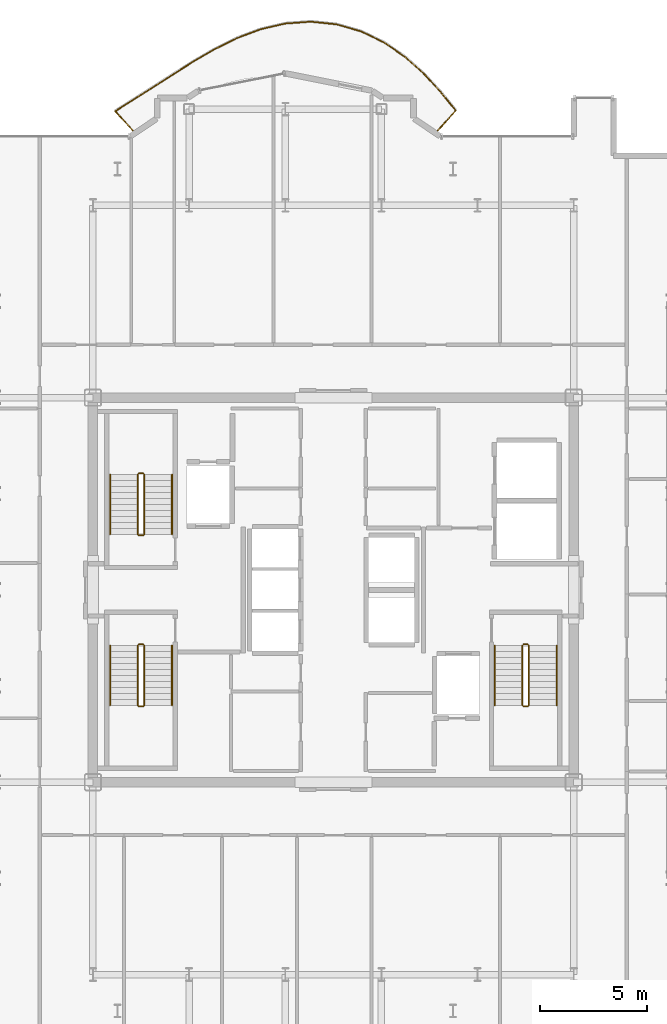
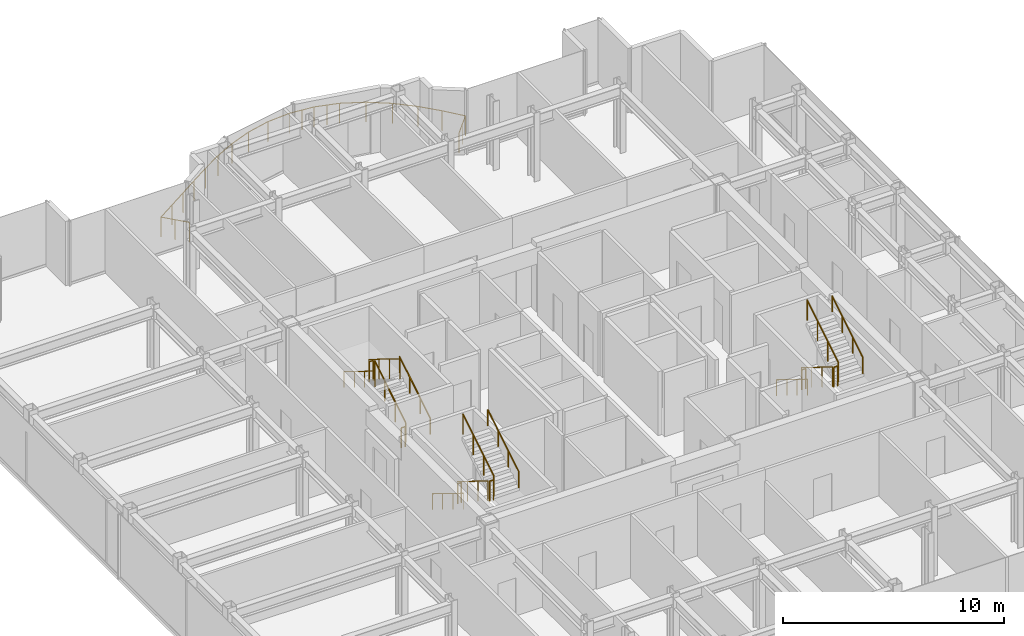
# One storey, part 18 of 18: 19 railings.
"""IFC4 building model written with IfcOpenShell, lengths in metres."""

from ifc_helpers import new_model, si_unit, direction, frame, origin, origin_2d, place, context, subcontext, project, spatial, circle, extrude, material, type_object, element, save


model = new_model("IFC4")

# Units and contexts
model_context = context("Model", 3, precision=1e-05, world=origin(), true_north=direction((0.0, 1.0)))
body_context = subcontext(model_context, "Body", "Model", "MODEL_VIEW")
ifc_project = project(units=[si_unit("LENGTHUNIT", "METRE"), si_unit("AREAUNIT", "SQUARE_METRE"), si_unit("VOLUMEUNIT", "CUBIC_METRE"), si_unit("PLANEANGLEUNIT", "RADIAN"), si_unit("MASSUNIT", "GRAM", prefix="KILO")], contexts=[model_context])

# Site, building, storey
site_placement = place(None, origin())
site = spatial("IfcSite", under=ifc_project, at=site_placement, CompositionType="ELEMENT")
building_placement = place(site_placement, origin())
building = spatial("IfcBuilding", under=site, at=building_placement, Name="Nefas-Gora Pilgrimage Tower", CompositionType="ELEMENT")
storey_placement = place(building_placement, frame((0.0, 0.0, 295.0)))
storey = spatial("IfcBuildingStorey", under=building, at=storey_placement, Name="L74", CompositionType="ELEMENT", Elevation=295.0)

# Railings
ifc_material_1 = material(Name="Laminated safety glass and stainless steel", Category="steel")
railing_type_1 = type_object("IfcRailingType", Name="RLG-BAL-1100", PredefinedType="BALUSTRADE", material=ifc_material_1)
railing_1_placement = place(storey_placement, frame((4.802490234375, 21.402587890625, 0.0)))
element("IfcRailing", 1, at=railing_1_placement, inside=storey, type_object=railing_type_1, Name="L74 Wave Balcony Balustrade N1", PredefinedType="BALUSTRADE", context=body_context, shape_type="SweptSolid", body=[
    extrude(circle(Radius=0.02392578125, at=origin_2d()), frame((0.0, 0.0, 1.09619140625), z_axis=(0.669217868333, 0.743066245165, 0.0), x_axis=(-0.743066245165, 0.669217868333, 0.0)), (0.0, 0.0, 1.0), 1.38525390625),
    extrude(circle(Radius=0.02392578125, at=origin_2d()), frame((0.927001953125, 1.029296875, 1.09619140625), z_axis=(-0.631629482569, 0.775270402343, 0.0), x_axis=(-0.775270402343, -0.631629482569, 0.0)), (0.0, 0.0, 1.0), 1.125244140625),
    extrude(circle(Radius=0.02392578125, at=origin_2d()), frame((0.21630859375, 1.901611328125, 1.09619140625), z_axis=(-0.677893838632, 0.735159808167, 0.0), x_axis=(-0.735159808167, -0.677893838632, 0.0)), (0.0, 0.0, 1.0), 1.1552734375),
    extrude(circle(Radius=0.02392578125, at=origin_2d()), frame((-0.56689453125, 2.7509765625, 1.09619140625), z_axis=(-0.744856770075, 0.667224394094, 0.0), x_axis=(-0.667224394094, -0.744856770075, 0.0)), (0.0, 0.0, 1.0), 1.17919921875),
    extrude(circle(Radius=0.02392578125, at=origin_2d()), frame((-1.4453125, 3.537841796875, 1.09619140625), z_axis=(-0.823486360046, 0.567336068673, 0.0), x_axis=(-0.567336068673, -0.823486360046, 0.0)), (0.0, 0.0, 1.0), 1.193359375),
    extrude(circle(Radius=0.02392578125, at=origin_2d()), frame((-2.427978515625, 4.21484375, 1.09619140625), z_axis=(-0.900372884274, 0.435119143757, 0.0), x_axis=(-0.435119143757, -0.900372884274, 0.0)), (0.0, 0.0, 1.0), 1.198974609375),
    extrude(circle(Radius=0.02392578125, at=origin_2d()), frame((-3.507568359375, 4.736572265625, 1.09619140625), z_axis=(-0.96128569357, 0.275553652377, 0.0), x_axis=(-0.275553652377, -0.96128569357, 0.0)), (0.0, 0.0, 1.0), 1.200439453125),
    extrude(circle(Radius=0.02392578125, at=origin_2d()), frame((-4.66162109375, 5.0673828125, 1.09619140625), z_axis=(-0.994878893823, 0.101074163988, 0.0), x_axis=(-0.101074163988, -0.994878893823, 0.0)), (0.0, 0.0, 1.0), 1.200439453125),
    extrude(circle(Radius=0.02392578125, at=origin_2d()), frame((-5.85595703125, 5.188720703125, 1.09619140625), z_axis=(-0.997416168119, -0.071840013741, 0.0), x_axis=(0.071840013741, -0.997416168119, 0.0)), (0.0, 0.0, 1.0), 1.19970703125),
    extrude(circle(Radius=0.02392578125, at=origin_2d()), frame((-7.052490234375, 5.1025390625, 1.09619140625), z_axis=(-0.973990202432, -0.226590126809, 0.0), x_axis=(0.226590126809, -0.973990202432, 0.0)), (0.0, 0.0, 1.0), 1.19482421875),
    extrude(circle(Radius=0.02392578125, at=origin_2d()), frame((-8.21630859375, 4.831787109375, 1.09619140625), z_axis=(-0.935793373768, -0.352548949243, 0.0), x_axis=(0.352548949243, -0.935793373768, 0.0)), (0.0, 0.0, 1.0), 1.18212890625),
    extrude(circle(Radius=0.02392578125, at=origin_2d()), frame((-9.322509765625, 4.4150390625, 1.09619140625), z_axis=(-0.895603061992, -0.444854083213, 0.0), x_axis=(0.444854083213, -0.895603061992, 0.0)), (0.0, 0.0, 1.0), 1.15966796875),
    extrude(circle(Radius=0.02392578125, at=origin_2d()), frame((-10.361083984375, 3.899169921875, 1.09619140625), z_axis=(-0.863943403334, -0.503588915522, 0.0), x_axis=(0.503588915522, -0.863943403334, 0.0)), (0.0, 0.0, 1.0), 1.130126953125),
    extrude(circle(Radius=0.02392578125, at=origin_2d()), frame((-11.33740234375, 3.330078125, 1.09619140625), z_axis=(-0.846310667587, -0.532689641282, 0.0), x_axis=(0.532689641282, -0.846310667587, 0.0)), (0.0, 0.0, 1.0), 1.099853515625),
    extrude(circle(Radius=0.02392578125, at=origin_2d()), frame((-12.268310546875, 2.744140625, 1.09619140625), z_axis=(-0.841971362418, -0.539522219067, 0.0), x_axis=(0.539522219067, -0.841971362418, 0.0)), (0.0, 0.0, 1.0), 1.079345703125),
    extrude(circle(Radius=0.02392578125, at=origin_2d()), frame((-13.177001953125, 2.161865234375, 1.09619140625), z_axis=(-0.844473528243, -0.535597292839, 0.0), x_axis=(0.535597292839, -0.844473528243, 0.0)), (0.0, 0.0, 1.0), 1.07568359375),
    extrude(circle(Radius=0.02392578125, at=origin_2d()), frame((-14.08544921875, 1.585693359375, 1.09619140625), z_axis=(-0.843707572313, -0.536803066704, 0.0), x_axis=(0.536803066704, -0.843707572313, 0.0)), (0.0, 0.0, 1.0), 1.090576171875),
    extrude(circle(Radius=0.02392578125, at=origin_2d()), frame((-15.005615234375, 1.000244140625, 1.09619140625), z_axis=(0.669135077133, -0.74314079995, 0.0), x_axis=(0.74314079995, 0.669135077133, 0.0)), (0.0, 0.0, 1.0), 1.345947265625),
    extrude(circle(Radius=0.02099609375, at=origin_2d()), origin(), (0.0, 0.0, 1.0), 1.072021484375),
    extrude(circle(Radius=0.02099609375, at=origin_2d()), frame((0.46337890625, 0.5146484375, 0.0)), (0.0, 0.0, 1.0), 1.072021484375),
    extrude(circle(Radius=0.02099609375, at=origin_2d()), frame((0.927001953125, 1.029296875, 0.0)), (0.0, 0.0, 1.0), 1.072021484375),
    extrude(circle(Radius=0.02099609375, at=origin_2d()), frame((0.21630859375, 1.901611328125, 0.0)), (0.0, 0.0, 1.0), 1.072021484375),
    extrude(circle(Radius=0.02099609375, at=origin_2d()), frame((-0.56689453125, 2.7509765625, 0.0)), (0.0, 0.0, 1.0), 1.072021484375),
    extrude(circle(Radius=0.02099609375, at=origin_2d()), frame((-1.4453125, 3.537841796875, 0.0)), (0.0, 0.0, 1.0), 1.072021484375),
    extrude(circle(Radius=0.02099609375, at=origin_2d()), frame((-2.427978515625, 4.21484375, 0.0)), (0.0, 0.0, 1.0), 1.072021484375),
    extrude(circle(Radius=0.02099609375, at=origin_2d()), frame((-3.507568359375, 4.736572265625, 0.0)), (0.0, 0.0, 1.0), 1.072021484375),
    extrude(circle(Radius=0.02099609375, at=origin_2d()), frame((-4.08447265625, 4.90185546875, 0.0)), (0.0, 0.0, 1.0), 1.072021484375),
    extrude(circle(Radius=0.02099609375, at=origin_2d()), frame((-4.66162109375, 5.0673828125, 0.0)), (0.0, 0.0, 1.0), 1.072021484375),
    extrude(circle(Radius=0.02099609375, at=origin_2d()), frame((-5.2587890625, 5.1279296875, 0.0)), (0.0, 0.0, 1.0), 1.072021484375),
    extrude(circle(Radius=0.02099609375, at=origin_2d()), frame((-5.85595703125, 5.188720703125, 0.0)), (0.0, 0.0, 1.0), 1.072021484375),
    extrude(circle(Radius=0.02099609375, at=origin_2d()), frame((-7.052490234375, 5.1025390625, 0.0)), (0.0, 0.0, 1.0), 1.072021484375),
    extrude(circle(Radius=0.02099609375, at=origin_2d()), frame((-8.21630859375, 4.831787109375, 0.0)), (0.0, 0.0, 1.0), 1.072021484375),
    extrude(circle(Radius=0.02099609375, at=origin_2d()), frame((-9.322509765625, 4.4150390625, 0.0)), (0.0, 0.0, 1.0), 1.072021484375),
    extrude(circle(Radius=0.02099609375, at=origin_2d()), frame((-10.361083984375, 3.899169921875, 0.0)), (0.0, 0.0, 1.0), 1.072021484375),
    extrude(circle(Radius=0.02099609375, at=origin_2d()), frame((-11.33740234375, 3.330078125, 0.0)), (0.0, 0.0, 1.0), 1.072021484375),
    extrude(circle(Radius=0.02099609375, at=origin_2d()), frame((-12.268310546875, 2.744140625, 0.0)), (0.0, 0.0, 1.0), 1.072021484375),
    extrude(circle(Radius=0.02099609375, at=origin_2d()), frame((-13.177001953125, 2.161865234375, 0.0)), (0.0, 0.0, 1.0), 1.072021484375),
    extrude(circle(Radius=0.02099609375, at=origin_2d()), frame((-14.08544921875, 1.585693359375, 0.0)), (0.0, 0.0, 1.0), 1.072021484375),
    extrude(circle(Radius=0.02099609375, at=origin_2d()), frame((-15.005615234375, 1.000244140625, 0.0)), (0.0, 0.0, 1.0), 1.072021484375),
    extrude(circle(Radius=0.02099609375, at=origin_2d()), frame((-14.55517578125, 0.5, 0.0)), (0.0, 0.0, 1.0), 1.072021484375),
    extrude(circle(Radius=0.02099609375, at=origin_2d()), frame((-14.10498046875, 0.0, 0.0)), (0.0, 0.0, 1.0), 1.072021484375),
])
ifc_material_2 = material(Name="Painted galvanised steel", Category="steel")
railing_type_2 = type_object("IfcRailingType", Name="RLG-STR-GUARD-1100", PredefinedType="GUARDRAIL", material=ifc_material_2)
railing_2_placement = place(storey_placement, frame((-8.85009765625, 2.60009765625, 0.172607421875)))
element("IfcRailing", 2, at=railing_2_placement, inside=storey, type_object=railing_type_2, Name="L74 ST-01 stair guard 1", PredefinedType="GUARDRAIL", context=body_context, shape_type="SweptSolid", body=[
    extrude(circle(Radius=0.02392578125, at=origin_2d()), frame((0.0, 0.0, 1.09619140625), z_axis=(0.0, 0.851069175582, 0.525053576669), x_axis=(-1.0, 0.0, 0.0)), (0.0, 0.0, 1.0), 3.289794921875),
    extrude(circle(Radius=0.02099609375, at=origin_2d()), origin(), (0.0, 0.0, 1.0), 1.072021484375),
    extrude(circle(Radius=0.02099609375, at=origin_2d()), frame((0.0, 0.933349609375, 0.57568359375)), (0.0, 0.0, 1.0), 1.072021484375),
    extrude(circle(Radius=0.02099609375, at=origin_2d()), frame((0.0, 1.866455078125, 1.151611328125)), (0.0, 0.0, 1.0), 1.072021484375),
    extrude(circle(Radius=0.02099609375, at=origin_2d()), frame((0.0, 2.7998046875, 1.727294921875)), (0.0, 0.0, 1.0), 1.072021484375),
])
railing_3_placement = place(storey_placement, frame((-8.89990234375, 5.449951171875, 1.89990234375)))
element("IfcRailing", 3, at=railing_3_placement, inside=storey, type_object=railing_type_2, Name="L74 ST-01 stair guard 2", PredefinedType="GUARDRAIL", context=body_context, shape_type="SweptSolid", body=[
    extrude(circle(Radius=0.02392578125, at=origin_2d()), frame((0.0, 0.0, 1.09619140625), z_axis=(-1.0, 0.0, 0.0), x_axis=(0.0, -1.0, 0.0)), (0.0, 0.0, 1.0), 0.2001953125),
    extrude(circle(Radius=0.02099609375, at=origin_2d()), origin(), (0.0, 0.0, 1.0), 1.072021484375),
    extrude(circle(Radius=0.02099609375, at=origin_2d()), frame((-0.2001953125, 0.0, 0.0)), (0.0, 0.0, 1.0), 1.072021484375),
])
railing_4_placement = place(storey_placement, frame((-9.14990234375, 5.39990234375, 2.07275390625)))
element("IfcRailing", 4, at=railing_4_placement, inside=storey, type_object=railing_type_2, Name="L74 ST-01 stair guard 3", PredefinedType="GUARDRAIL", context=body_context, shape_type="SweptSolid", body=[
    extrude(circle(Radius=0.02392578125, at=origin_2d()), frame((0.0, 0.0, 1.09619140625), z_axis=(0.0, -0.851069175582, 0.525053576669), x_axis=(1.0, 0.0, 0.0)), (0.0, 0.0, 1.0), 3.289794921875),
    extrude(circle(Radius=0.02099609375, at=origin_2d()), origin(), (0.0, 0.0, 1.0), 1.072021484375),
    extrude(circle(Radius=0.02099609375, at=origin_2d()), frame((0.0, -0.933349609375, 0.57568359375)), (0.0, 0.0, 1.0), 1.072021484375),
    extrude(circle(Radius=0.02099609375, at=origin_2d()), frame((0.0, -1.866455078125, 1.151611328125)), (0.0, 0.0, 1.0), 1.072021484375),
    extrude(circle(Radius=0.02099609375, at=origin_2d()), frame((0.0, -2.7998046875, 1.727294921875)), (0.0, 0.0, 1.0), 1.072021484375),
])
railing_5_placement = place(storey_placement, frame((-8.89990234375, 2.550048828125, 0.0)))
element("IfcRailing", 5, at=railing_5_placement, inside=storey, type_object=railing_type_2, Name="L74 ST-01 stair guard 4", PredefinedType="GUARDRAIL", context=body_context, shape_type="SweptSolid", body=[
    extrude(circle(Radius=0.02392578125, at=origin_2d()), frame((0.0, 0.0, 1.09619140625), z_axis=(-1.0, 0.0, 0.0), x_axis=(0.0, -1.0, 0.0)), (0.0, 0.0, 1.0), 0.2001953125),
    extrude(circle(Radius=0.02099609375, at=origin_2d()), origin(), (0.0, 0.0, 1.0), 1.072021484375),
    extrude(circle(Radius=0.02099609375, at=origin_2d()), frame((-0.2001953125, 0.0, 0.0)), (0.0, 0.0, 1.0), 1.072021484375),
])
railing_6_placement = place(storey_placement, frame((8.85009765625, -2.60009765625, 0.172607421875)))
element("IfcRailing", 6, at=railing_6_placement, inside=storey, type_object=railing_type_2, Name="L74 ST-02 stair guard 1", PredefinedType="GUARDRAIL", context=body_context, shape_type="SweptSolid", body=[
    extrude(circle(Radius=0.02392578125, at=origin_2d()), frame((0.0, 0.0, 1.09619140625), z_axis=(0.0, -0.851069175582, 0.525053576669), x_axis=(1.0, 0.0, 0.0)), (0.0, 0.0, 1.0), 3.289794921875),
    extrude(circle(Radius=0.02099609375, at=origin_2d()), origin(), (0.0, 0.0, 1.0), 1.072021484375),
    extrude(circle(Radius=0.02099609375, at=origin_2d()), frame((0.0, -0.933349609375, 0.57568359375)), (0.0, 0.0, 1.0), 1.072021484375),
    extrude(circle(Radius=0.02099609375, at=origin_2d()), frame((0.0, -1.866455078125, 1.151611328125)), (0.0, 0.0, 1.0), 1.072021484375),
    extrude(circle(Radius=0.02099609375, at=origin_2d()), frame((0.0, -2.7998046875, 1.727294921875)), (0.0, 0.0, 1.0), 1.072021484375),
])
railing_7_placement = place(storey_placement, frame((8.89990234375, -5.449951171875, 1.89990234375)))
element("IfcRailing", 7, at=railing_7_placement, inside=storey, type_object=railing_type_2, Name="L74 ST-02 stair guard 2", PredefinedType="GUARDRAIL", context=body_context, shape_type="SweptSolid", body=[
    extrude(circle(Radius=0.02392578125, at=origin_2d()), frame((0.0, 0.0, 1.09619140625), z_axis=(1.0, 0.0, 0.0), x_axis=(0.0, 1.0, 0.0)), (0.0, 0.0, 1.0), 0.2001953125),
    extrude(circle(Radius=0.02099609375, at=origin_2d()), origin(), (0.0, 0.0, 1.0), 1.072021484375),
    extrude(circle(Radius=0.02099609375, at=origin_2d()), frame((0.2001953125, 0.0, 0.0)), (0.0, 0.0, 1.0), 1.072021484375),
])
railing_8_placement = place(storey_placement, frame((9.14990234375, -5.39990234375, 2.07275390625)))
element("IfcRailing", 8, at=railing_8_placement, inside=storey, type_object=railing_type_2, Name="L74 ST-02 stair guard 3", PredefinedType="GUARDRAIL", context=body_context, shape_type="SweptSolid", body=[
    extrude(circle(Radius=0.02392578125, at=origin_2d()), frame((0.0, 0.0, 1.09619140625), z_axis=(0.0, 0.851069175582, 0.525053576669), x_axis=(-1.0, 0.0, 0.0)), (0.0, 0.0, 1.0), 3.289794921875),
    extrude(circle(Radius=0.02099609375, at=origin_2d()), origin(), (0.0, 0.0, 1.0), 1.072021484375),
    extrude(circle(Radius=0.02099609375, at=origin_2d()), frame((0.0, 0.933349609375, 0.57568359375)), (0.0, 0.0, 1.0), 1.072021484375),
    extrude(circle(Radius=0.02099609375, at=origin_2d()), frame((0.0, 1.866455078125, 1.151611328125)), (0.0, 0.0, 1.0), 1.072021484375),
    extrude(circle(Radius=0.02099609375, at=origin_2d()), frame((0.0, 2.7998046875, 1.727294921875)), (0.0, 0.0, 1.0), 1.072021484375),
])
railing_9_placement = place(storey_placement, frame((8.89990234375, -2.550048828125, 0.0)))
element("IfcRailing", 9, at=railing_9_placement, inside=storey, type_object=railing_type_2, Name="L74 ST-02 stair guard 4", PredefinedType="GUARDRAIL", context=body_context, shape_type="SweptSolid", body=[
    extrude(circle(Radius=0.02392578125, at=origin_2d()), frame((0.0, 0.0, 1.09619140625), z_axis=(1.0, 0.0, 0.0), x_axis=(0.0, 1.0, 0.0)), (0.0, 0.0, 1.0), 0.2001953125),
    extrude(circle(Radius=0.02099609375, at=origin_2d()), origin(), (0.0, 0.0, 1.0), 1.072021484375),
    extrude(circle(Radius=0.02099609375, at=origin_2d()), frame((0.2001953125, 0.0, 0.0)), (0.0, 0.0, 1.0), 1.072021484375),
])
railing_10_placement = place(storey_placement, frame((-9.14990234375, -2.60009765625, 0.172607421875)))
element("IfcRailing", 10, at=railing_10_placement, inside=storey, type_object=railing_type_2, Name="L74 ST-03 stair guard 1", PredefinedType="GUARDRAIL", context=body_context, shape_type="SweptSolid", body=[
    extrude(circle(Radius=0.02392578125, at=origin_2d()), frame((0.0, 0.0, 1.09619140625), z_axis=(0.0, -0.851069175582, 0.525053576669), x_axis=(1.0, 0.0, 0.0)), (0.0, 0.0, 1.0), 3.289794921875),
    extrude(circle(Radius=0.02099609375, at=origin_2d()), origin(), (0.0, 0.0, 1.0), 1.072021484375),
    extrude(circle(Radius=0.02099609375, at=origin_2d()), frame((0.0, -0.933349609375, 0.57568359375)), (0.0, 0.0, 1.0), 1.072021484375),
    extrude(circle(Radius=0.02099609375, at=origin_2d()), frame((0.0, -1.866455078125, 1.151611328125)), (0.0, 0.0, 1.0), 1.072021484375),
    extrude(circle(Radius=0.02099609375, at=origin_2d()), frame((0.0, -2.7998046875, 1.727294921875)), (0.0, 0.0, 1.0), 1.072021484375),
])
railing_11_placement = place(storey_placement, frame((-9.10009765625, -5.449951171875, 1.89990234375)))
element("IfcRailing", 11, at=railing_11_placement, inside=storey, type_object=railing_type_2, Name="L74 ST-03 stair guard 2", PredefinedType="GUARDRAIL", context=body_context, shape_type="SweptSolid", body=[
    extrude(circle(Radius=0.02392578125, at=origin_2d()), frame((0.0, 0.0, 1.09619140625), z_axis=(1.0, 0.0, 0.0), x_axis=(0.0, 1.0, 0.0)), (0.0, 0.0, 1.0), 0.2001953125),
    extrude(circle(Radius=0.02099609375, at=origin_2d()), origin(), (0.0, 0.0, 1.0), 1.072021484375),
    extrude(circle(Radius=0.02099609375, at=origin_2d()), frame((0.2001953125, 0.0, 0.0)), (0.0, 0.0, 1.0), 1.072021484375),
])
railing_12_placement = place(storey_placement, frame((-8.85009765625, -5.39990234375, 2.07275390625)))
element("IfcRailing", 12, at=railing_12_placement, inside=storey, type_object=railing_type_2, Name="L74 ST-03 stair guard 3", PredefinedType="GUARDRAIL", context=body_context, shape_type="SweptSolid", body=[
    extrude(circle(Radius=0.02392578125, at=origin_2d()), frame((0.0, 0.0, 1.09619140625), z_axis=(0.0, 0.851069175582, 0.525053576669), x_axis=(-1.0, 0.0, 0.0)), (0.0, 0.0, 1.0), 3.289794921875),
    extrude(circle(Radius=0.02099609375, at=origin_2d()), origin(), (0.0, 0.0, 1.0), 1.072021484375),
    extrude(circle(Radius=0.02099609375, at=origin_2d()), frame((0.0, 0.933349609375, 0.57568359375)), (0.0, 0.0, 1.0), 1.072021484375),
    extrude(circle(Radius=0.02099609375, at=origin_2d()), frame((0.0, 1.866455078125, 1.151611328125)), (0.0, 0.0, 1.0), 1.072021484375),
    extrude(circle(Radius=0.02099609375, at=origin_2d()), frame((0.0, 2.7998046875, 1.727294921875)), (0.0, 0.0, 1.0), 1.072021484375),
])
railing_13_placement = place(storey_placement, frame((-9.10009765625, -2.550048828125, 0.0)))
element("IfcRailing", 13, at=railing_13_placement, inside=storey, type_object=railing_type_2, Name="L74 ST-03 stair guard 4", PredefinedType="GUARDRAIL", context=body_context, shape_type="SweptSolid", body=[
    extrude(circle(Radius=0.02392578125, at=origin_2d()), frame((0.0, 0.0, 1.09619140625), z_axis=(1.0, 0.0, 0.0), x_axis=(0.0, 1.0, 0.0)), (0.0, 0.0, 1.0), 0.2001953125),
    extrude(circle(Radius=0.02099609375, at=origin_2d()), origin(), (0.0, 0.0, 1.0), 1.072021484375),
    extrude(circle(Radius=0.02099609375, at=origin_2d()), frame((0.2001953125, 0.0, 0.0)), (0.0, 0.0, 1.0), 1.072021484375),
])
ifc_material_3 = material(Name="Brushed stainless steel", Category="steel")
railing_type_3 = type_object("IfcRailingType", Name="RLG-STR-HAND-900", PredefinedType="HANDRAIL", material=ifc_material_3)
railing_14_placement = place(storey_placement, frame((-7.550048828125, 2.60009765625, 0.172607421875)))
element("IfcRailing", 14, at=railing_14_placement, inside=storey, type_object=railing_type_3, Name="L74 ST-01 stair handrail 1", PredefinedType="HANDRAIL", context=body_context, shape_type="SweptSolid", body=[
    extrude(circle(Radius=0.02392578125, at=origin_2d()), frame((0.0, 0.0, 0.8759765625), z_axis=(0.0, 0.851069175582, 0.525053576669), x_axis=(-1.0, 0.0, 0.0)), (0.0, 0.0, 1.0), 3.289794921875),
    extrude(circle(Radius=0.02099609375, at=origin_2d()), origin(), (0.0, 0.0, 1.0), 0.851806640625),
    extrude(circle(Radius=0.02099609375, at=origin_2d()), frame((0.0, 0.933349609375, 0.57568359375)), (0.0, 0.0, 1.0), 0.851806640625),
    extrude(circle(Radius=0.02099609375, at=origin_2d()), frame((0.0, 1.866455078125, 1.151611328125)), (0.0, 0.0, 1.0), 0.851806640625),
    extrude(circle(Radius=0.02099609375, at=origin_2d()), frame((0.0, 2.7998046875, 1.727294921875)), (0.0, 0.0, 1.0), 0.851806640625),
])
for number, where, name in (
    (15, (-10.449951171875, 5.39990234375, 2.07275390625), "L74 ST-01 stair handrail 2"),
    (16, (7.550048828125, -2.60009765625, 0.172607421875), "L74 ST-02 stair handrail 1"),
):
    element("IfcRailing", number, at=place(storey_placement, frame(where)), inside=storey, type_object=railing_type_3, Name=name, PredefinedType="HANDRAIL", context=body_context, shape_type="SweptSolid", body=[
        extrude(circle(Radius=0.02392578125, at=origin_2d()), frame((0.0, 0.0, 0.8759765625), z_axis=(0.0, -0.851069175582, 0.525053576669), x_axis=(1.0, 0.0, 0.0)), (0.0, 0.0, 1.0), 3.289794921875),
        extrude(circle(Radius=0.02099609375, at=origin_2d()), origin(), (0.0, 0.0, 1.0), 0.851806640625),
        extrude(circle(Radius=0.02099609375, at=origin_2d()), frame((0.0, -0.933349609375, 0.57568359375)), (0.0, 0.0, 1.0), 0.851806640625),
        extrude(circle(Radius=0.02099609375, at=origin_2d()), frame((0.0, -1.866455078125, 1.151611328125)), (0.0, 0.0, 1.0), 0.851806640625),
        extrude(circle(Radius=0.02099609375, at=origin_2d()), frame((0.0, -2.7998046875, 1.727294921875)), (0.0, 0.0, 1.0), 0.851806640625),
    ])
railing_15_placement = place(storey_placement, frame((10.449951171875, -5.39990234375, 2.07275390625)))
element("IfcRailing", 17, at=railing_15_placement, inside=storey, type_object=railing_type_3, Name="L74 ST-02 stair handrail 2", PredefinedType="HANDRAIL", context=body_context, shape_type="SweptSolid", body=[
    extrude(circle(Radius=0.02392578125, at=origin_2d()), frame((0.0, 0.0, 0.8759765625), z_axis=(0.0, 0.851069175582, 0.525053576669), x_axis=(-1.0, 0.0, 0.0)), (0.0, 0.0, 1.0), 3.289794921875),
    extrude(circle(Radius=0.02099609375, at=origin_2d()), origin(), (0.0, 0.0, 1.0), 0.851806640625),
    extrude(circle(Radius=0.02099609375, at=origin_2d()), frame((0.0, 0.933349609375, 0.57568359375)), (0.0, 0.0, 1.0), 0.851806640625),
    extrude(circle(Radius=0.02099609375, at=origin_2d()), frame((0.0, 1.866455078125, 1.151611328125)), (0.0, 0.0, 1.0), 0.851806640625),
    extrude(circle(Radius=0.02099609375, at=origin_2d()), frame((0.0, 2.7998046875, 1.727294921875)), (0.0, 0.0, 1.0), 0.851806640625),
])
railing_16_placement = place(storey_placement, frame((-10.449951171875, -2.60009765625, 0.172607421875)))
element("IfcRailing", 18, at=railing_16_placement, inside=storey, type_object=railing_type_3, Name="L74 ST-03 stair handrail 1", PredefinedType="HANDRAIL", context=body_context, shape_type="SweptSolid", body=[
    extrude(circle(Radius=0.02392578125, at=origin_2d()), frame((0.0, 0.0, 0.8759765625), z_axis=(0.0, -0.851069175582, 0.525053576669), x_axis=(1.0, 0.0, 0.0)), (0.0, 0.0, 1.0), 3.289794921875),
    extrude(circle(Radius=0.02099609375, at=origin_2d()), origin(), (0.0, 0.0, 1.0), 0.851806640625),
    extrude(circle(Radius=0.02099609375, at=origin_2d()), frame((0.0, -0.933349609375, 0.57568359375)), (0.0, 0.0, 1.0), 0.851806640625),
    extrude(circle(Radius=0.02099609375, at=origin_2d()), frame((0.0, -1.866455078125, 1.151611328125)), (0.0, 0.0, 1.0), 0.851806640625),
    extrude(circle(Radius=0.02099609375, at=origin_2d()), frame((0.0, -2.7998046875, 1.727294921875)), (0.0, 0.0, 1.0), 0.851806640625),
])
railing_17_placement = place(storey_placement, frame((-7.550048828125, -5.39990234375, 2.07275390625)))
element("IfcRailing", 19, at=railing_17_placement, inside=storey, type_object=railing_type_3, Name="L74 ST-03 stair handrail 2", PredefinedType="HANDRAIL", context=body_context, shape_type="SweptSolid", body=[
    extrude(circle(Radius=0.02392578125, at=origin_2d()), frame((0.0, 0.0, 0.8759765625), z_axis=(0.0, 0.851069175582, 0.525053576669), x_axis=(-1.0, 0.0, 0.0)), (0.0, 0.0, 1.0), 3.289794921875),
    extrude(circle(Radius=0.02099609375, at=origin_2d()), origin(), (0.0, 0.0, 1.0), 0.851806640625),
    extrude(circle(Radius=0.02099609375, at=origin_2d()), frame((0.0, 0.933349609375, 0.57568359375)), (0.0, 0.0, 1.0), 0.851806640625),
    extrude(circle(Radius=0.02099609375, at=origin_2d()), frame((0.0, 1.866455078125, 1.151611328125)), (0.0, 0.0, 1.0), 0.851806640625),
    extrude(circle(Radius=0.02099609375, at=origin_2d()), frame((0.0, 2.7998046875, 1.727294921875)), (0.0, 0.0, 1.0), 0.851806640625),
])

save(model, "model.ifc")
